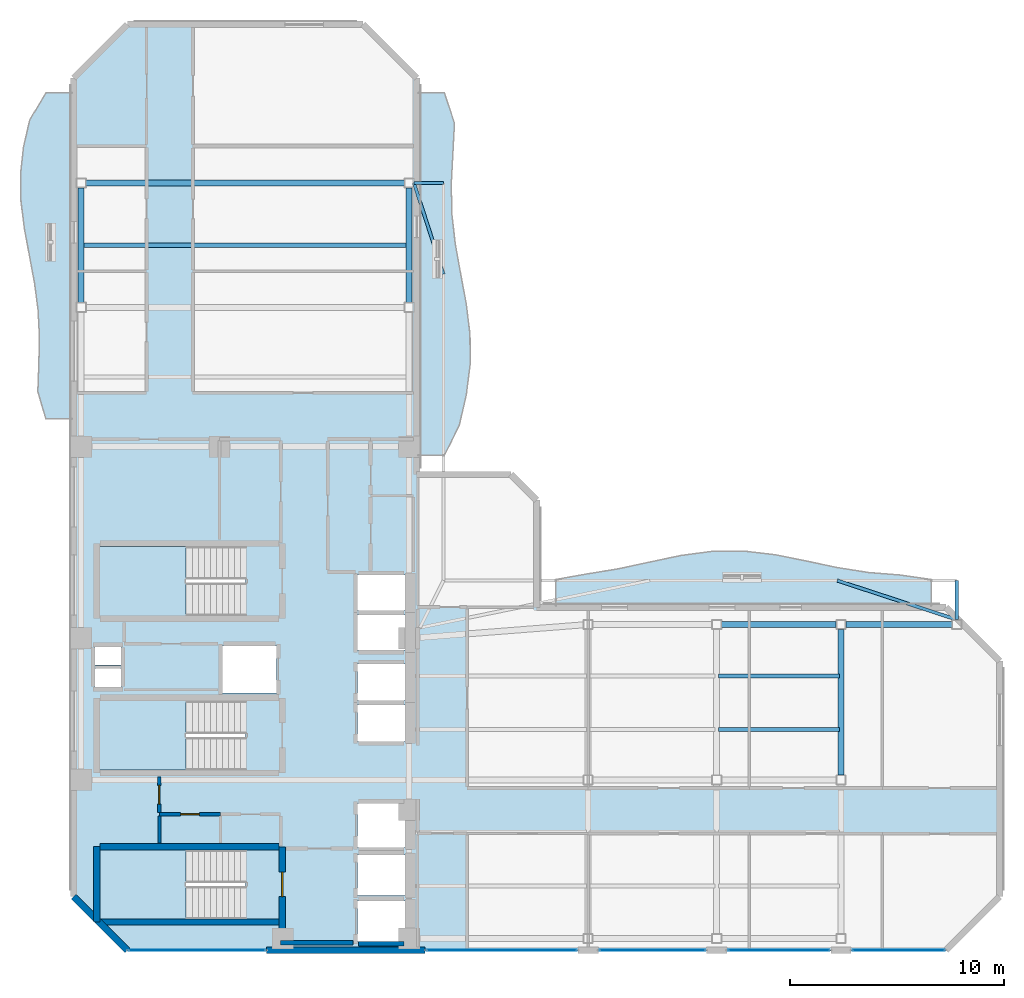
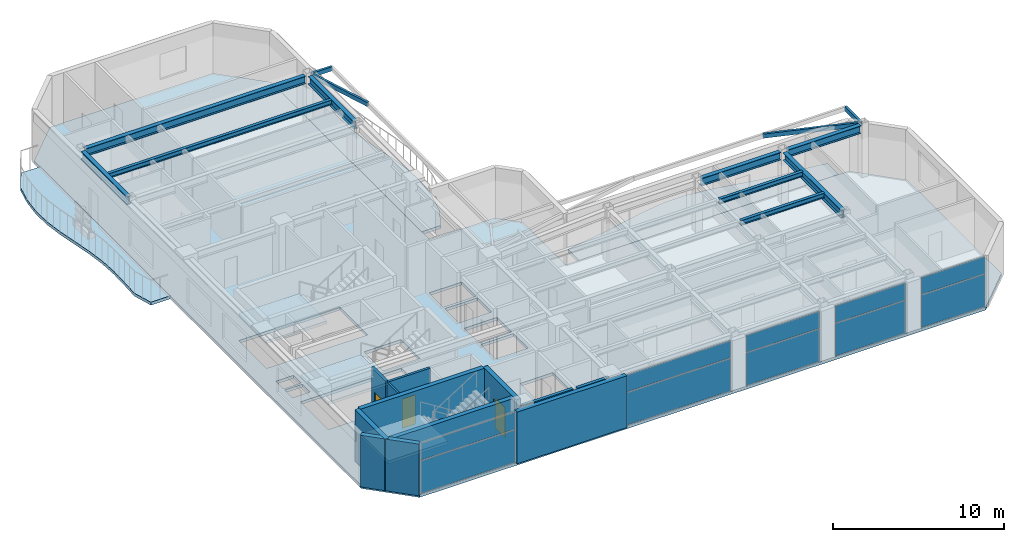
# One storey, part 8 of 16: 13 beams, 11 walls, 10 plates, 7 slabs, 3 doors, 3 openings, 8 elements without a shape of their own.
"""IFC4 building model written with IfcOpenShell, lengths in metres."""

from ifc_helpers import new_model, si_unit, direction, frame, frame_2d, origin, origin_2d, place, context, subcontext, project, spatial, polyline, rectangle, hollow_rectangle, i_section, outline, extrude, material, layer, layer_set, material_profile, profile_set, type_object, element, fill, aggregate, save


model = new_model("IFC4")

# Units and contexts
model_context = context("Model", 3, precision=1e-05, world=origin(), true_north=direction((0.0, 1.0)))
body_context = subcontext(model_context, "Body", "Model", "MODEL_VIEW")
ifc_project = project(units=[si_unit("LENGTHUNIT", "METRE"), si_unit("AREAUNIT", "SQUARE_METRE"), si_unit("VOLUMEUNIT", "CUBIC_METRE"), si_unit("PLANEANGLEUNIT", "RADIAN"), si_unit("MASSUNIT", "GRAM", prefix="KILO")], contexts=[model_context])

# Site, building, storey
site_placement = place(None, origin())
site = spatial("IfcSite", under=ifc_project, at=site_placement, CompositionType="ELEMENT")
building_placement = place(site_placement, origin())
building = spatial("IfcBuilding", under=site, at=building_placement, Name="Mawjaban Terraces University", CompositionType="ELEMENT")
storey_placement = place(building_placement, frame((0.0, 0.0, 230.39990234375)))
storey = spatial("IfcBuildingStorey", under=building, at=storey_placement, Name="L56", CompositionType="ELEMENT", Elevation=230.39990234375)

# Beams
ifc_material_1 = material(Name="Steel EN 10210-1 S355J2H", Category="steel")
ifc_material_profile_1 = material_profile(ifc_material_1, hollow_rectangle(XDim=0.14990234375, YDim=0.300048828125, WallThickness=0.012451171875, at=origin_2d()), Name="RHS300X150X12.5")
ifc_profile_set_1 = profile_set([ifc_material_profile_1], Name="Steel EN 10210-1 S355J2H")
beam_type_1 = type_object("IfcBeamType", Name="BalconyCantileverSpandrel_RHS", PredefinedType="SPANDREL", material=ifc_profile_set_1)
beam_1_placement = place(storey_placement, frame((63.199951171875, 15.425048828125, 3.5400390625), z_axis=(0.0, 1.0, 0.0), x_axis=(-1.0, 0.0, 0.0)))
element("IfcBeam", 1, at=beam_1_placement, inside=storey, type_object=beam_type_1, Name="L56 Exterior Outrigger BAL-L57-N.2", PredefinedType="SPANDREL", context=body_context, shape_type="SweptSolid", body=[
    extrude(hollow_rectangle(XDim=0.14990234375, YDim=0.300048828125, WallThickness=0.012451171875, at=origin_2d()), origin(), (0.0, 0.0, 1.0), 1.824951171875),
])
beam_2_placement = place(storey_placement, frame((63.199951171875, 15.425048828125, 3.5400390625), z_axis=(-0.950375876023, 0.311103992699, 0.0), x_axis=(-0.311103992699, -0.950375876023, 0.0)))
element("IfcBeam", 2, at=beam_2_placement, inside=storey, type_object=beam_type_1, Name="L56 Exterior Diagonal Strut BAL-L57-N.2", PredefinedType="SPANDREL", context=body_context, shape_type="SweptSolid", body=[
    extrude(hollow_rectangle(XDim=0.14990234375, YDim=0.300048828125, WallThickness=0.012451171875, at=origin_2d()), origin(), (0.0, 0.0, 1.0), 5.865966796875),
])
beam_3_placement = place(storey_placement, frame((37.875, 35.800048828125, 3.5400390625), z_axis=(1.0, 0.0, 0.0), x_axis=(0.0, 1.0, 0.0)))
element("IfcBeam", 3, at=beam_3_placement, inside=storey, type_object=beam_type_1, Name="L56 Exterior Outrigger BAL-L57-E.2", PredefinedType="SPANDREL", context=body_context, shape_type="SweptSolid", body=[
    extrude(hollow_rectangle(XDim=0.14990234375, YDim=0.300048828125, WallThickness=0.012451171875, at=origin_2d()), origin(), (0.0, 0.0, 1.0), 1.375),
])
beam_4_placement = place(storey_placement, frame((37.875, 35.800048828125, 3.5400390625), z_axis=(0.307820285415, -0.951444518554, 0.0), x_axis=(0.951444518554, 0.307820285415, 0.0)))
element("IfcBeam", 4, at=beam_4_placement, inside=storey, type_object=beam_type_1, Name="L56 Exterior Diagonal Strut BAL-L57-E.1", PredefinedType="SPANDREL", context=body_context, shape_type="SweptSolid", body=[
    extrude(hollow_rectangle(XDim=0.14990234375, YDim=0.300048828125, WallThickness=0.012451171875, at=origin_2d()), origin(), (0.0, 0.0, 1.0), 4.466796875),
])
ifc_material_2 = material(Name="Steel ASTM A572 Grade 50", Category="steel")
ifc_material_profile_2 = material_profile(ifc_material_2, i_section(OverallWidth=0.281005859375, OverallDepth=0.551025390625, WebThickness=0.01513671875, FlangeThickness=0.02587890625, at=origin_2d()), Name="W530X182")
ifc_profile_set_2 = profile_set([ifc_material_profile_2], Name="Steel ASTM A572 Grade 50")
beam_type_2 = type_object("IfcBeamType", Name="Beam_B_W530X182", PredefinedType="BEAM", material=ifc_profile_set_2)
beam_5_placement = place(storey_placement, frame((52.22509765625, 15.199951171875, 3.4150390625), z_axis=(1.0, 0.0, 0.0), x_axis=(0.0, 1.0, 0.0)))
element("IfcBeam", 5, at=beam_5_placement, inside=storey, type_object=beam_type_2, Name="L56 Beam BM-L56-EW-08", PredefinedType="BEAM", context=body_context, shape_type="SweptSolid", body=[
    extrude(i_section(OverallWidth=0.281005859375, OverallDepth=0.551025390625, WebThickness=0.01513671875, FlangeThickness=0.02587890625, at=origin_2d()), origin(), (0.0, 0.0, 1.0), 5.349853515625),
])
beam_6_placement = place(storey_placement, frame((58.02490234375, 15.199951171875, 3.4150390625), z_axis=(1.0, 0.0, 0.0), x_axis=(0.0, 1.0, 0.0)))
element("IfcBeam", 6, at=beam_6_placement, inside=storey, type_object=beam_type_2, Name="L56 Beam BM-L56-EW-09", PredefinedType="BEAM", context=body_context, shape_type="SweptSolid", body=[
    extrude(i_section(OverallWidth=0.281005859375, OverallDepth=0.551025390625, WebThickness=0.01513671875, FlangeThickness=0.02587890625, at=origin_2d()), origin(), (0.0, 0.0, 1.0), 4.9501953125),
])
beam_7_placement = place(storey_placement, frame((22.574951171875, 35.800048828125, 3.4150390625), z_axis=(1.0, 0.0, 0.0), x_axis=(0.0, 1.0, 0.0)))
element("IfcBeam", 7, at=beam_7_placement, inside=storey, type_object=beam_type_2, Name="L56 Beam BM-L56-EW-13", PredefinedType="BEAM", context=body_context, shape_type="SweptSolid", body=[
    extrude(i_section(OverallWidth=0.281005859375, OverallDepth=0.551025390625, WebThickness=0.01513671875, FlangeThickness=0.02587890625, at=origin_2d()), origin(), (0.0, 0.0, 1.0), 14.85009765625),
])
for number, where, z_axis, x_axis, name in (
    (8, (22.35009765625, 30.22509765625, 3.4150390625), (0.0, 1.0, 0.0), (-1.0, 0.0, 0.0), "L56 Beam BM-L56-NS-04"),
    (9, (37.64990234375, 30.22509765625, 3.4150390625), (0.0, 1.0, 0.0), (-1.0, 0.0, 0.0), "L56 Beam BM-L56-NS-09"),
):
    element("IfcBeam", number, at=place(storey_placement, frame(where, z_axis=z_axis, x_axis=x_axis)), inside=storey, type_object=beam_type_2, Name=name, PredefinedType="BEAM", context=body_context, shape_type="SweptSolid", body=[
        extrude(i_section(OverallWidth=0.281005859375, OverallDepth=0.551025390625, WebThickness=0.01513671875, FlangeThickness=0.02587890625, at=origin_2d()), origin(), (0.0, 0.0, 1.0), 5.349853515625),
    ])
beam_8_placement = place(storey_placement, frame((57.800048828125, 8.175048828125, 3.4150390625), z_axis=(0.0, 1.0, 0.0), x_axis=(-1.0, 0.0, 0.0)))
element("IfcBeam", 10, at=beam_8_placement, inside=storey, type_object=beam_type_2, Name="L56 Beam BM-L56-NS-15", PredefinedType="BEAM", context=body_context, shape_type="SweptSolid", body=[
    extrude(i_section(OverallWidth=0.281005859375, OverallDepth=0.551025390625, WebThickness=0.01513671875, FlangeThickness=0.02587890625, at=origin_2d()), origin(), (0.0, 0.0, 1.0), 6.800048828125),
])
ifc_material_profile_3 = material_profile(ifc_material_2, i_section(OverallWidth=0.202880859375, OverallDepth=0.346923828125, WebThickness=0.0078125, FlangeThickness=0.013427734375, at=origin_2d()), Name="W360X64")
ifc_profile_set_3 = profile_set([ifc_material_profile_3], Name="Steel ASTM A572 Grade 50")
beam_type_3 = type_object("IfcBeamType", Name="Beam_J_W360X64", PredefinedType="JOIST", material=ifc_profile_set_3)
for number, where, z_axis, x_axis, name in (
    (11, (52.080078125, 10.300048828125, 3.51708984375), (1.0, 0.0, 0.0), (0.0, 1.0, 0.0), "L56 Composite Joist JST-L56-09"),
    (12, (52.080078125, 12.800048828125, 3.51708984375), (1.0, 0.0, 0.0), (0.0, 1.0, 0.0), "L56 Composite Joist JST-L56-12"),
):
    element("IfcBeam", number, at=place(storey_placement, frame(where, z_axis=z_axis, x_axis=x_axis)), inside=storey, type_object=beam_type_3, Name=name, PredefinedType="JOIST", context=body_context, shape_type="SweptSolid", body=[
        extrude(i_section(OverallWidth=0.202880859375, OverallDepth=0.346923828125, WebThickness=0.0078125, FlangeThickness=0.013427734375, at=origin_2d()), origin(), (0.0, 0.0, 1.0), 5.639892578125),
    ])
beam_9_placement = place(storey_placement, frame((22.429931640625, 32.89990234375, 3.51708984375), z_axis=(1.0, 0.0, 0.0), x_axis=(0.0, 1.0, 0.0)))
element("IfcBeam", 13, at=beam_9_placement, inside=storey, type_object=beam_type_3, Name="L56 Composite Joist JST-L56-14", PredefinedType="JOIST", context=body_context, shape_type="SweptSolid", body=[
    extrude(i_section(OverallWidth=0.202880859375, OverallDepth=0.346923828125, WebThickness=0.0078125, FlangeThickness=0.013427734375, at=origin_2d()), origin(), (0.0, 0.0, 1.0), 15.14013671875),
])

# Slabs
ifc_material_3 = material(Name="Concrete C40/50", Category="concrete")
ifc_layer_1 = layer(ifc_material_3, 0.2099609375)
ifc_layer_set_1 = layer_set([ifc_layer_1], Name="Concrete C40/50")
slab_type_1 = type_object("IfcSlabType", Name="BalconySlab_210_Ext", PredefinedType="FLOOR", material=ifc_layer_set_1)
slab_1_placement = place(storey_placement, frame((0.0, 0.0, -0.2099609375)))
element("IfcSlab", 14, at=slab_1_placement, inside=storey, type_object=slab_type_1, Name="L56 Planted Balcony Slab west", PredefinedType="FLOOR", context=body_context, shape_type="SweptSolid", body=[
    extrude(outline(polyline([(22.010009765625, 24.800048828125), (22.010009765625, 40.0), (20.699951171875, 40.0), (19.945068359375, 38.73291015625), (19.654052734375, 37.467041015625), (19.51708984375, 36.199951171875), (19.5400390625, 34.93310546875), (19.698974609375, 33.6669921875), (19.93505859375, 32.39990234375), (20.1708984375, 31.133056640625), (20.3369140625, 29.866943359375), (20.39990234375, 28.60009765625), (20.37109375, 27.3330078125), (20.324951171875, 26.06689453125), (20.699951171875, 24.800048828125), (22.010009765625, 24.800048828125)])), origin(), (0.0, 0.0, 1.0), 0.2099609375),
])
slab_2_placement = place(storey_placement, frame((0.0, 0.0, -0.2099609375)))
element("IfcSlab", 15, at=slab_2_placement, inside=storey, type_object=slab_type_1, Name="L56 Planted Balcony Slab inner_north", PredefinedType="FLOOR", context=body_context, shape_type="SweptSolid", body=[
    extrude(outline(polyline([(44.5, 15.989990234375), (62.0, 15.989990234375), (62.0, 17.300048828125), (60.5419921875, 17.510009765625), (59.0830078125, 17.625), (57.625, 17.85595703125), (56.1669921875, 18.1650390625), (54.7080078125, 18.45703125), (53.25, 18.6279296875), (51.7919921875, 18.614013671875), (50.3330078125, 18.419921875), (48.875, 18.113037109375), (47.4169921875, 17.798095703125), (45.9580078125, 17.56103515625), (44.5, 17.300048828125), (44.5, 15.989990234375)])), origin(), (0.0, 0.0, 1.0), 0.2099609375),
])
slab_3_placement = place(storey_placement, frame((0.0, 0.0, -0.2099609375)))
element("IfcSlab", 16, at=slab_3_placement, inside=storey, type_object=slab_type_1, Name="L56 Planted Balcony Slab inner_east", PredefinedType="FLOOR", context=body_context, shape_type="SweptSolid", body=[
    extrude(outline(polyline([(39.300048828125, 23.10009765625), (39.990966796875, 24.508056640625), (40.31689453125, 25.9169921875), (40.493896484375, 27.324951171875), (40.488037109375, 28.73291015625), (40.31689453125, 30.14208984375), (40.054931640625, 31.550048828125), (39.800048828125, 32.9580078125), (39.64111328125, 34.366943359375), (39.614990234375, 35.77490234375), (39.68994140625, 37.18310546875), (39.762939453125, 38.592041015625), (39.300048828125, 40.0), (37.989990234375, 40.0), (37.989990234375, 23.10009765625), (39.300048828125, 23.10009765625)])), origin(), (0.0, 0.0, 1.0), 0.2099609375),
])
ifc_layer_2 = layer(ifc_material_3, 0.2099609375)
ifc_layer_set_2 = layer_set([ifc_layer_2], Name="Concrete C40/50")
slab_type_2 = type_object("IfcSlabType", Name="CompositeSlab_210", PredefinedType="FLOOR", material=ifc_layer_set_2)
slab_4_placement = place(storey_placement, frame((0.0, 0.0, -0.2099609375)))
element("IfcSlab", 17, at=slab_4_placement, inside=storey, type_object=slab_type_2, Name="L56 Primary Structural Slab", PredefinedType="FLOOR", context=body_context, shape_type="SweptSolid", body=[
    extrude(outline(polyline([(24.5, 0.0), (62.699951171875, 0.0), (65.199951171875, 2.5), (65.199951171875, 13.5), (62.699951171875, 16.0), (43.60009765625, 16.0), (43.60009765625, 21.0), (42.39990234375, 22.199951171875), (38.0, 22.199951171875), (38.0, 40.699951171875), (35.5, 43.199951171875), (24.5, 43.199951171875), (22.0, 40.699951171875), (22.0, 2.5), (24.5, 0.0)]), holes=[polyline([(30.014892578125, 4.699951171875), (23.199951171875, 4.699951171875), (23.199951171875, 1.449951171875), (30.014892578125, 1.449951171875), (30.014892578125, 4.699951171875)]), polyline([(30.014892578125, 18.85009765625), (23.199951171875, 18.85009765625), (23.199951171875, 15.60009765625), (30.014892578125, 15.60009765625), (30.014892578125, 18.85009765625)]), polyline([(30.014892578125, 11.64990234375), (23.199951171875, 11.64990234375), (23.199951171875, 8.39990234375), (30.014892578125, 8.39990234375), (30.014892578125, 11.64990234375)]), polyline([(35.25, 0.39990234375), (37.449951171875, 0.39990234375), (37.449951171875, 2.300048828125), (35.25, 2.300048828125), (35.25, 0.39990234375)]), polyline([(35.25, 2.550048828125), (37.449951171875, 2.550048828125), (37.449951171875, 4.449951171875), (35.25, 4.449951171875), (35.25, 2.550048828125)]), polyline([(35.25, 4.800048828125), (37.449951171875, 4.800048828125), (37.449951171875, 6.85009765625), (35.25, 6.85009765625), (35.25, 4.800048828125)]), polyline([(35.25, 9.75), (37.449951171875, 9.75), (37.449951171875, 11.449951171875), (35.25, 11.449951171875), (35.25, 9.75)]), polyline([(35.25, 11.64990234375), (37.449951171875, 11.64990234375), (37.449951171875, 13.35009765625), (35.25, 13.35009765625), (35.25, 11.64990234375)]), polyline([(28.949951171875, 12.0), (31.449951171875, 12.0), (31.449951171875, 14.199951171875), (28.949951171875, 14.199951171875), (28.949951171875, 12.0)]), polyline([(35.25, 14.0), (37.449951171875, 14.0), (37.449951171875, 15.64990234375), (35.25, 15.64990234375), (35.25, 14.0)]), polyline([(35.25, 15.85009765625), (37.449951171875, 15.85009765625), (37.449951171875, 17.5), (35.25, 17.5), (35.25, 15.85009765625)]), polyline([(23.0, 12.25), (24.199951171875, 12.25), (24.199951171875, 13.14990234375), (23.0, 13.14990234375), (23.0, 12.25)]), polyline([(23.0, 13.300048828125), (24.199951171875, 13.300048828125), (24.199951171875, 14.179931640625), (23.0, 14.179931640625), (23.0, 13.300048828125)])]), origin(), (0.0, 0.0, 1.0), 0.2099609375),
])

# Stair, slab
stair_type = type_object("IfcStairType", Name="Stair_Core1550_H39", PredefinedType="HALF_TURN_STAIR", material=ifc_material_3)
stair_1_placement = place(storey_placement, origin())
stair_1 = element("IfcStair", 18, at=stair_1_placement, inside=storey, type_object=stair_type, Name="L56 Core Exit Stair 1", PredefinedType="HALF_TURN_STAIR")
ifc_layer_3 = layer(ifc_material_3, 0.199951171875)
ifc_layer_set_3 = layer_set([ifc_layer_3], Name="Concrete C40/50")
slab_type_3 = type_object("IfcSlabType", Name="StairLandingSlab_200", PredefinedType="LANDING", material=ifc_layer_set_3)
slab_5_placement = place(storey_placement, frame((0.0, 0.0, 1.75)))
slab_5 = element("IfcSlab", 19, at=slab_5_placement, type_object=slab_type_3, Name="ST-1 landing 1", PredefinedType="LANDING", context=body_context, shape_type="SweptSolid", body=[
    extrude(outline(polyline([(27.25, 4.699951171875), (23.199951171875, 4.699951171875), (23.199951171875, 1.449951171875), (27.25, 1.449951171875), (27.25, 4.699951171875)])), origin(), (0.0, 0.0, 1.0), 0.2001953125),
])
aggregate(stair_1, [slab_5])

stair_2_placement = place(storey_placement, origin())
stair_2 = element("IfcStair", 20, at=stair_2_placement, inside=storey, type_object=stair_type, Name="L56 Core Exit Stair 2", PredefinedType="HALF_TURN_STAIR")
slab_6_placement = place(storey_placement, frame((0.0, 0.0, 1.75)))
slab_6 = element("IfcSlab", 21, at=slab_6_placement, type_object=slab_type_3, Name="ST-2 landing 1", PredefinedType="LANDING", context=body_context, shape_type="SweptSolid", body=[
    extrude(outline(polyline([(27.25, 18.85009765625), (23.199951171875, 18.85009765625), (23.199951171875, 15.60009765625), (27.25, 15.60009765625), (27.25, 18.85009765625)])), origin(), (0.0, 0.0, 1.0), 0.2001953125),
])
aggregate(stair_2, [slab_6])

stair_3_placement = place(storey_placement, origin())
stair_3 = element("IfcStair", 22, at=stair_3_placement, inside=storey, type_object=stair_type, Name="L56 Core Exit Stair 3", PredefinedType="HALF_TURN_STAIR")
slab_7_placement = place(storey_placement, frame((0.0, 0.0, 1.75)))
slab_7 = element("IfcSlab", 23, at=slab_7_placement, type_object=slab_type_3, Name="ST-3 landing 1", PredefinedType="LANDING", context=body_context, shape_type="SweptSolid", body=[
    extrude(outline(polyline([(27.25, 11.64990234375), (23.199951171875, 11.64990234375), (23.199951171875, 8.39990234375), (27.25, 8.39990234375), (27.25, 11.64990234375)])), origin(), (0.0, 0.0, 1.0), 0.2001953125),
])
aggregate(stair_3, [slab_7])

# Curtain wall, plates
ifc_material_4 = material(Name="Anodised aluminium 6063-T6 and solar-control low-E glass", Category="aluminium")
ifc_layer_4 = layer(ifc_material_4, 0.159912109375)
ifc_layer_set_4 = layer_set([ifc_layer_4], Name="Anodised aluminium 6063-T6 and solar-control low-E glass")
curtain_wall_type = type_object("IfcCurtainWallType", Name="CWSystem_03_NorthWing", PredefinedType="NOTDEFINED", material=ifc_layer_set_4)
curtain_wall_1_placement = place(storey_placement, origin())
curtain_wall_1 = element("IfcCurtainWall", 24, at=curtain_wall_1_placement, inside=storey, type_object=curtain_wall_type, Name="L56 Curtain Wall CW-03 Run 1.1", PredefinedType="NOTDEFINED")
ifc_material_5 = material(Name="Low-E solar-control double glazing", Category="glass")
ifc_layer_5 = layer(ifc_material_5, 0.028076171875)
ifc_layer_set_5 = layer_set([ifc_layer_5], Name="Low-E solar-control double glazing")
plate_type = type_object("IfcPlateType", Name="VisionPanel_CW-03", PredefinedType="CURTAIN_PANEL", material=ifc_layer_set_5)
plate_1_placement = place(storey_placement, frame((27.75, 0.0, 0.06005859375), z_axis=(0.0, 0.0, 1.0), x_axis=(1.0, 0.0, 0.0)))
plate_1 = element("IfcPlate", 25, at=plate_1_placement, type_object=plate_type, Name="CW-03 panel 1.1", PredefinedType="CURTAIN_PANEL", context=body_context, shape_type="SweptSolid", body=[
    extrude(rectangle(XDim=6.3701171875, YDim=0.028076171875, at=origin_2d()), origin(), (0.0, 0.0, 1.0), 2.30810546875),
])
plate_2_placement = place(storey_placement, frame((27.75, 0.0, 2.42822265625), z_axis=(0.0, 0.0, 1.0), x_axis=(1.0, 0.0, 0.0)))
plate_2 = element("IfcPlate", 26, at=plate_2_placement, type_object=plate_type, Name="CW-03 panel 1.2", PredefinedType="CURTAIN_PANEL", context=body_context, shape_type="SweptSolid", body=[
    extrude(rectangle(XDim=6.3701171875, YDim=0.028076171875, at=origin_2d()), origin(), (0.0, 0.0, 1.0), 1.201904296875),
])
aggregate(curtain_wall_1, [plate_1, plate_2])

curtain_wall_2_placement = place(storey_placement, origin())
curtain_wall_2 = element("IfcCurtainWall", 27, at=curtain_wall_2_placement, inside=storey, type_object=curtain_wall_type, Name="L56 Curtain Wall CW-03 Run 1.2", PredefinedType="NOTDEFINED")
plate_3_placement = place(storey_placement, frame((41.96240234375, 0.0, 0.06005859375), z_axis=(0.0, 0.0, 1.0), x_axis=(1.0, 0.0, 0.0)))
plate_3 = element("IfcPlate", 28, at=plate_3_placement, type_object=plate_type, Name="CW-03 panel 1.1", PredefinedType="CURTAIN_PANEL", context=body_context, shape_type="SweptSolid", body=[
    extrude(rectangle(XDim=6.9951171875, YDim=0.028076171875, at=origin_2d()), origin(), (0.0, 0.0, 1.0), 2.30810546875),
])
plate_4_placement = place(storey_placement, frame((41.96240234375, 0.0, 2.42822265625), z_axis=(0.0, 0.0, 1.0), x_axis=(1.0, 0.0, 0.0)))
plate_4 = element("IfcPlate", 29, at=plate_4_placement, type_object=plate_type, Name="CW-03 panel 1.2", PredefinedType="CURTAIN_PANEL", context=body_context, shape_type="SweptSolid", body=[
    extrude(rectangle(XDim=6.9951171875, YDim=0.028076171875, at=origin_2d()), origin(), (0.0, 0.0, 1.0), 1.201904296875),
])
aggregate(curtain_wall_2, [plate_3, plate_4])

curtain_wall_3_placement = place(storey_placement, origin())
curtain_wall_3 = element("IfcCurtainWall", 30, at=curtain_wall_3_placement, inside=storey, type_object=curtain_wall_type, Name="L56 Curtain Wall CW-03 Run 1.3", PredefinedType="NOTDEFINED")
plate_5_placement = place(storey_placement, frame((49.0, 0.0, 0.06005859375), z_axis=(0.0, 0.0, 1.0), x_axis=(1.0, 0.0, 0.0)))
plate_5 = element("IfcPlate", 31, at=plate_5_placement, type_object=plate_type, Name="CW-03 panel 1.1", PredefinedType="CURTAIN_PANEL", context=body_context, shape_type="SweptSolid", body=[
    extrude(rectangle(XDim=4.919921875, YDim=0.028076171875, at=origin_2d()), origin(), (0.0, 0.0, 1.0), 2.30810546875),
])
plate_6_placement = place(storey_placement, frame((49.0, 0.0, 2.42822265625), z_axis=(0.0, 0.0, 1.0), x_axis=(1.0, 0.0, 0.0)))
plate_6 = element("IfcPlate", 32, at=plate_6_placement, type_object=plate_type, Name="CW-03 panel 1.2", PredefinedType="CURTAIN_PANEL", context=body_context, shape_type="SweptSolid", body=[
    extrude(rectangle(XDim=4.919921875, YDim=0.028076171875, at=origin_2d()), origin(), (0.0, 0.0, 1.0), 1.201904296875),
])
aggregate(curtain_wall_3, [plate_5, plate_6])

curtain_wall_4_placement = place(storey_placement, origin())
curtain_wall_4 = element("IfcCurtainWall", 33, at=curtain_wall_4_placement, inside=storey, type_object=curtain_wall_type, Name="L56 Curtain Wall CW-03 Run 1.4", PredefinedType="NOTDEFINED")
plate_7_placement = place(storey_placement, frame((54.89990234375, 0.0, 0.06005859375), z_axis=(0.0, 0.0, 1.0), x_axis=(1.0, 0.0, 0.0)))
plate_7 = element("IfcPlate", 34, at=plate_7_placement, type_object=plate_type, Name="CW-03 panel 1.1", PredefinedType="CURTAIN_PANEL", context=body_context, shape_type="SweptSolid", body=[
    extrude(rectangle(XDim=4.719970703125, YDim=0.028076171875, at=origin_2d()), origin(), (0.0, 0.0, 1.0), 2.30810546875),
])
plate_8_placement = place(storey_placement, frame((54.89990234375, 0.0, 2.42822265625), z_axis=(0.0, 0.0, 1.0), x_axis=(1.0, 0.0, 0.0)))
plate_8 = element("IfcPlate", 35, at=plate_8_placement, type_object=plate_type, Name="CW-03 panel 1.2", PredefinedType="CURTAIN_PANEL", context=body_context, shape_type="SweptSolid", body=[
    extrude(rectangle(XDim=4.719970703125, YDim=0.028076171875, at=origin_2d()), origin(), (0.0, 0.0, 1.0), 1.201904296875),
])
aggregate(curtain_wall_4, [plate_7, plate_8])

curtain_wall_5_placement = place(storey_placement, origin())
curtain_wall_5 = element("IfcCurtainWall", 36, at=curtain_wall_5_placement, inside=storey, type_object=curtain_wall_type, Name="L56 Curtain Wall CW-03 Run 1.5", PredefinedType="NOTDEFINED")
plate_9_placement = place(storey_placement, frame((60.487548828125, 0.0, 0.06005859375), z_axis=(0.0, 0.0, 1.0), x_axis=(1.0, 0.0, 0.0)))
plate_9 = element("IfcPlate", 37, at=plate_9_placement, type_object=plate_type, Name="CW-03 panel 1.1", PredefinedType="CURTAIN_PANEL", context=body_context, shape_type="SweptSolid", body=[
    extrude(rectangle(XDim=4.294921875, YDim=0.028076171875, at=origin_2d()), origin(), (0.0, 0.0, 1.0), 2.30810546875),
])
plate_10_placement = place(storey_placement, frame((60.487548828125, 0.0, 2.42822265625), z_axis=(0.0, 0.0, 1.0), x_axis=(1.0, 0.0, 0.0)))
plate_10 = element("IfcPlate", 38, at=plate_10_placement, type_object=plate_type, Name="CW-03 panel 1.2", PredefinedType="CURTAIN_PANEL", context=body_context, shape_type="SweptSolid", body=[
    extrude(rectangle(XDim=4.294921875, YDim=0.028076171875, at=origin_2d()), origin(), (0.0, 0.0, 1.0), 1.201904296875),
])
aggregate(curtain_wall_5, [plate_9, plate_10])

# Wall, opening, door
ifc_material_6 = material(Name="Fire-rated gypsum board on steel stud", Category="steel")
ifc_layer_6 = layer(ifc_material_6, 0.159912109375)
ifc_layer_set_6 = layer_set([ifc_layer_6], Name="Fire-rated gypsum board on steel stud")
wall_type_1 = type_object("IfcWallType", Name="CorridorPartition_160", PredefinedType="PARTITIONING", material=ifc_layer_set_6)
wall_1_placement = place(storey_placement, frame((26.0, 6.35009765625, 0.0), z_axis=(0.0, 0.0, 1.0), x_axis=(1.0, 0.0, 0.0)))
wall_1 = element("IfcWall", 39, at=wall_1_placement, inside=storey, type_object=wall_type_1, Name="L56 Core Washroom Lobby Partition 6", PredefinedType="PARTITIONING", context=body_context, shape_type="SweptSolid", body=[
    extrude(rectangle(XDim=2.85009765625, YDim=0.159912109375, at=frame_2d((1.425048828125, 0.0))), origin(), (0.0, 0.0, 1.0), 3.690185546875),
])
opening_1_placement = place(wall_1_placement, frame((0.985107421875, 0.0, 0.0)))
opening_1 = element("IfcOpeningElement", 40, at=opening_1_placement, cuts=wall_1, Name="Opening ID-088", PredefinedType="OPENING", context=body_context, shape_type="SweptSolid", body=[
    extrude(rectangle(XDim=0.8798828125, YDim=2.10009765625, at=frame_2d((0.43994140625, 1.050048828125))), frame((0.0, 0.08984375, 0.0), z_axis=(0.0, -1.0, 0.0), x_axis=(1.0, 0.0, 0.0)), (0.0, 0.0, 1.0), 0.179931640625),
])
ifc_material_7 = material(Name="Powder-coated steel frame and solid acoustic timber leaf", Category="steel")
door_type_1 = type_object("IfcDoorType", Name="ToiletDoor_880x2100", OperationType="NOTDEFINED", PredefinedType="DOOR", material=ifc_material_7)
door_1_placement = place(opening_1_placement, origin())
door_1 = element("IfcDoor", 41, at=door_1_placement, inside=storey, type_object=door_type_1, Name="L56 Male Toilet Door", OperationType="SINGLE_SWING_RIGHT", OverallHeight=2.10009765625, OverallWidth=0.8798828125, PredefinedType="DOOR", context=body_context, shape_type="SweptSolid", body=[
    extrude(rectangle(XDim=0.8798828125, YDim=2.10009765625, at=frame_2d((0.43994140625, 1.050048828125))), frame((0.0, 0.02490234375, 0.0), z_axis=(0.0, -1.0, 0.0), x_axis=(1.0, 0.0, 0.0)), (0.0, 0.0, 1.0), 0.050048828125),
])
fill(opening_1, door_1)

wall_2_placement = place(storey_placement, frame((26.0, 8.090087890625, 0.0), z_axis=(0.0, 0.0, 1.0), x_axis=(0.0, -1.0, 0.0)))
wall_2 = element("IfcWall", 42, at=wall_2_placement, inside=storey, type_object=wall_type_1, Name="L56 Core Washroom Lobby Partition 35", PredefinedType="PARTITIONING", context=body_context, shape_type="SweptSolid", body=[
    extrude(rectangle(XDim=1.6650390625, YDim=0.159912109375, at=frame_2d((0.83251953125, 0.0))), origin(), (0.0, 0.0, 1.0), 3.690185546875),
])
opening_2_placement = place(wall_2_placement, frame((0.39306640625, 0.0, 0.0)))
opening_2 = element("IfcOpeningElement", 43, at=opening_2_placement, cuts=wall_2, Name="Opening ID-088", PredefinedType="OPENING", context=body_context, shape_type="SweptSolid", body=[
    extrude(rectangle(XDim=0.8798828125, YDim=2.10009765625, at=frame_2d((0.43994140625, 1.050048828125))), frame((0.0, 0.08984375, 0.0), z_axis=(0.0, -1.0, 0.0), x_axis=(1.0, 0.0, 0.0)), (0.0, 0.0, 1.0), 0.179931640625),
])
door_2_placement = place(opening_2_placement, origin())
door_2 = element("IfcDoor", 44, at=door_2_placement, inside=storey, type_object=door_type_1, Name="L56 Ablution Room Door", OperationType="SINGLE_SWING_LEFT", OverallHeight=2.10009765625, OverallWidth=0.8798828125, PredefinedType="DOOR", context=body_context, shape_type="SweptSolid", body=[
    extrude(rectangle(XDim=0.8798828125, YDim=2.10009765625, at=frame_2d((0.43994140625, 1.050048828125))), frame((0.0, 0.02490234375, 0.0), z_axis=(0.0, -1.0, 0.0), x_axis=(1.0, 0.0, 0.0)), (0.0, 0.0, 1.0), 0.050048828125),
])
fill(opening_2, door_2)

# Walls
ifc_material_8 = material(Name="Insulated terracotta rainscreen on concrete backup C40/50", Category="masonry")
ifc_layer_7 = layer(ifc_material_8, 0.300048828125)
ifc_layer_set_7 = layer_set([ifc_layer_7], Name="Insulated terracotta rainscreen on concrete backup C40/50")
wall_type_2 = type_object("IfcWallType", Name="ExtTerracottaWall_300", PredefinedType="SOLIDWALL", material=ifc_layer_set_7)
wall_3_placement = place(storey_placement, frame((31.0, 0.0, 0.0), z_axis=(0.0, 0.0, 1.0), x_axis=(1.0, 0.0, 0.0)))
element("IfcWall", 45, at=wall_3_placement, inside=storey, type_object=wall_type_2, Name="L56 Exterior Terracotta Pier Wall 1.1", PredefinedType="SOLIDWALL", context=body_context, shape_type="SweptSolid", body=[
    extrude(rectangle(XDim=7.39990234375, YDim=0.300048828125, at=frame_2d((3.699951171875, 0.0))), origin(), (0.0, 0.0, 1.0), 3.690185546875),
])
wall_4_placement = place(storey_placement, frame((22.0, 2.5, 0.0), z_axis=(0.0, 0.0, 1.0), x_axis=(0.707106781187, -0.707106781187, 0.0)))
element("IfcWall", 46, at=wall_4_placement, inside=storey, type_object=wall_type_2, Name="L56 Exterior Terracotta Wall 14", PredefinedType="SOLIDWALL", context=body_context, shape_type="SweptSolid", body=[
    extrude(rectangle(XDim=3.53564453125, YDim=0.300048828125, at=frame_2d((1.767822265625, 0.0))), origin(), (0.0, 0.0, 1.0), 3.690185546875),
])
ifc_layer_8 = layer(ifc_material_3, 0.199951171875)
ifc_layer_set_8 = layer_set([ifc_layer_8], Name="Concrete C40/50")
wall_type_3 = type_object("IfcWallType", Name="FireLobbyWall_200", PredefinedType="SOLIDWALL", material=ifc_layer_set_8)
wall_5_placement = place(storey_placement, frame((35.280029296875, 0.300048828125, 0.0), z_axis=(0.0, 0.0, 1.0), x_axis=(1.0, 0.0, 0.0)))
element("IfcWall", 47, at=wall_5_placement, inside=storey, type_object=wall_type_3, Name="L56 Lift FL-1 Hoistway Wall South", PredefinedType="SOLIDWALL", context=body_context, shape_type="SweptSolid", body=[
    extrude(rectangle(XDim=2.139892578125, YDim=0.199951171875, at=frame_2d((1.06982421875, 0.0))), origin(), (0.0, 0.0, 1.0), 3.690185546875),
])
wall_6_placement = place(storey_placement, frame((31.64990234375, 0.35009765625, 0.0), z_axis=(0.0, 0.0, 1.0), x_axis=(1.0, 0.0, 0.0)))
element("IfcWall", 48, at=wall_6_placement, inside=storey, type_object=wall_type_3, Name="L56 Firefighting Lift Lobby Partition 9", PredefinedType="SOLIDWALL", context=body_context, shape_type="SweptSolid", body=[
    extrude(rectangle(XDim=3.3701171875, YDim=0.199951171875, at=frame_2d((1.68505859375, 0.0))), origin(), (0.0, 0.0, 1.0), 3.690185546875),
])
ifc_material_9 = material(Name="Concrete C60/75", Category="concrete")
ifc_layer_9 = layer(ifc_material_9, 0.300048828125)
ifc_layer_set_9 = layer_set([ifc_layer_9], Name="Concrete C60/75")
wall_type_4 = type_object("IfcWallType", Name="StairShaftWall_300", PredefinedType="SHEAR", material=ifc_layer_set_9)
wall_7_placement = place(storey_placement, frame((31.580078125, 4.830078125, 0.0), z_axis=(0.0, 0.0, 1.0), x_axis=(-1.0, 0.0, 0.0)))
element("IfcWall", 49, at=wall_7_placement, inside=storey, type_object=wall_type_4, Name="L56 ST-1 Stair Shaft Wall 1", PredefinedType="SHEAR", context=body_context, shape_type="SweptSolid", body=[
    extrude(rectangle(XDim=8.360107421875, YDim=0.300048828125, at=frame_2d((4.18017578125, 0.0))), origin(), (0.0, 0.0, 1.0), 3.690185546875),
])
wall_8_placement = place(storey_placement, frame((23.070068359375, 4.830078125, 0.0), z_axis=(0.0, 0.0, 1.0), x_axis=(0.0, -1.0, 0.0)))
element("IfcWall", 50, at=wall_8_placement, inside=storey, type_object=wall_type_4, Name="L56 ST-1 Stair Shaft Wall 2", PredefinedType="SHEAR", context=body_context, shape_type="SweptSolid", body=[
    extrude(rectangle(XDim=3.510009765625, YDim=0.300048828125, at=frame_2d((1.7548828125, 0.0))), origin(), (0.0, 0.0, 1.0), 3.690185546875),
])
wall_9_placement = place(storey_placement, frame((23.219970703125, 1.320068359375, 0.0), z_axis=(0.0, 0.0, 1.0), x_axis=(1.0, 0.0, 0.0)))
element("IfcWall", 51, at=wall_9_placement, inside=storey, type_object=wall_type_4, Name="L56 ST-1 Stair Shaft Wall 3", PredefinedType="SHEAR", context=body_context, shape_type="SweptSolid", body=[
    extrude(rectangle(XDim=8.360107421875, YDim=0.300048828125, at=frame_2d((4.18017578125, 0.0))), origin(), (0.0, 0.0, 1.0), 3.690185546875),
])

# Wall, opening, door
wall_10_placement = place(storey_placement, frame((31.72998046875, 0.9599609375, 0.0), z_axis=(0.0, 0.0, 1.0), x_axis=(0.0, 1.0, 0.0)))
wall_10 = element("IfcWall", 52, at=wall_10_placement, inside=storey, type_object=wall_type_4, Name="L56 ST-1 Stair Shaft Wall 4", PredefinedType="SHEAR", context=body_context, shape_type="SweptSolid", body=[
    extrude(rectangle(XDim=3.8701171875, YDim=0.300048828125, at=frame_2d((1.93505859375, 0.0))), origin(), (0.0, 0.0, 1.0), 3.690185546875),
])
opening_3_placement = place(wall_10_placement, frame((1.5400390625, 0.0, 0.0)))
opening_3 = element("IfcOpeningElement", 53, at=opening_3_placement, cuts=wall_10, Name="Opening FD-115", PredefinedType="OPENING", context=body_context, shape_type="SweptSolid", body=[
    extrude(rectangle(XDim=1.14990234375, YDim=2.14990234375, at=frame_2d((0.574951171875, 1.074951171875))), frame((0.0, 0.159912109375, 0.0), z_axis=(0.0, -1.0, 0.0), x_axis=(1.0, 0.0, 0.0)), (0.0, 0.0, 1.0), 0.320068359375),
])
ifc_material_10 = material(Name="Powder-coated steel frame and fire-rated steel-faced leaf", Category="steel")
door_type_2 = type_object("IfcDoorType", Name="FireStairDoor_1150x2150", OperationType="NOTDEFINED", PredefinedType="DOOR", material=ifc_material_10)
door_3_placement = place(opening_3_placement, origin())
door_3 = element("IfcDoor", 54, at=door_3_placement, inside=storey, type_object=door_type_2, Name="L56 ST-1 Pressurised Stair Fire Door", OperationType="SINGLE_SWING_LEFT", OverallHeight=2.14990234375, OverallWidth=1.14990234375, PredefinedType="DOOR", context=body_context, shape_type="SweptSolid", body=[
    extrude(rectangle(XDim=1.14990234375, YDim=2.14990234375, at=frame_2d((0.574951171875, 1.074951171875))), frame((0.0, 0.02490234375, 0.0), z_axis=(0.0, -1.0, 0.0), x_axis=(1.0, 0.0, 0.0)), (0.0, 0.0, 1.0), 0.050048828125),
])
fill(opening_3, door_3)

# Wall
ifc_material_11 = material(Name="Cement-board wet-room partition", Category="masonry")
ifc_layer_10 = layer(ifc_material_11, 0.135009765625)
ifc_layer_set_10 = layer_set([ifc_layer_10], Name="Cement-board wet-room partition")
wall_type_5 = type_object("IfcWallType", Name="WetRoomPartition_135", PredefinedType="PARTITIONING", material=ifc_layer_set_10)
wall_11_placement = place(storey_placement, frame((26.0, 5.010009765625, 0.0), z_axis=(0.0, 0.0, 1.0), x_axis=(0.0, 1.0, 0.0)))
element("IfcWall", 55, at=wall_11_placement, inside=storey, type_object=wall_type_5, Name="L56 Ablution Room Partition 34", PredefinedType="PARTITIONING", context=body_context, shape_type="SweptSolid", body=[
    extrude(rectangle(XDim=1.264892578125, YDim=0.135009765625, at=frame_2d((0.63232421875, 0.0))), origin(), (0.0, 0.0, 1.0), 3.690185546875),
])

save(model, "model.ifc")
